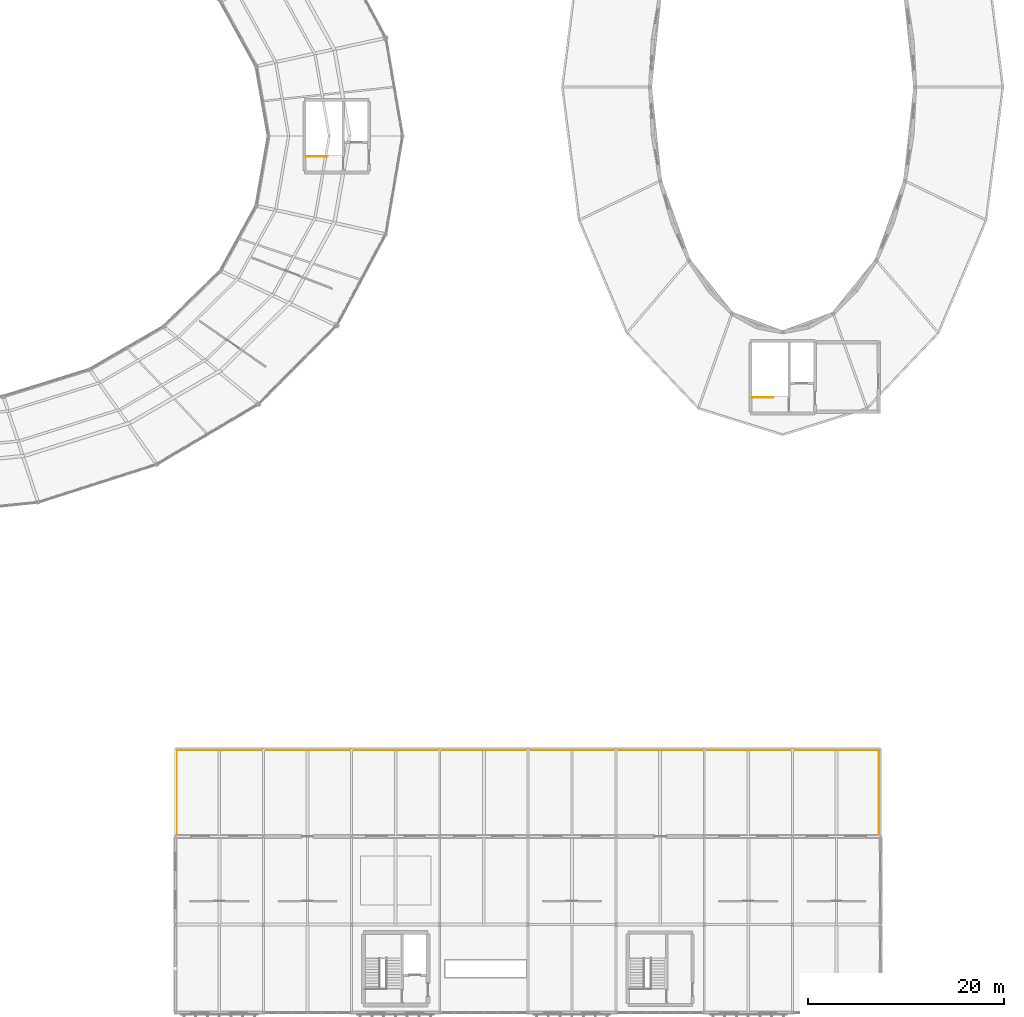
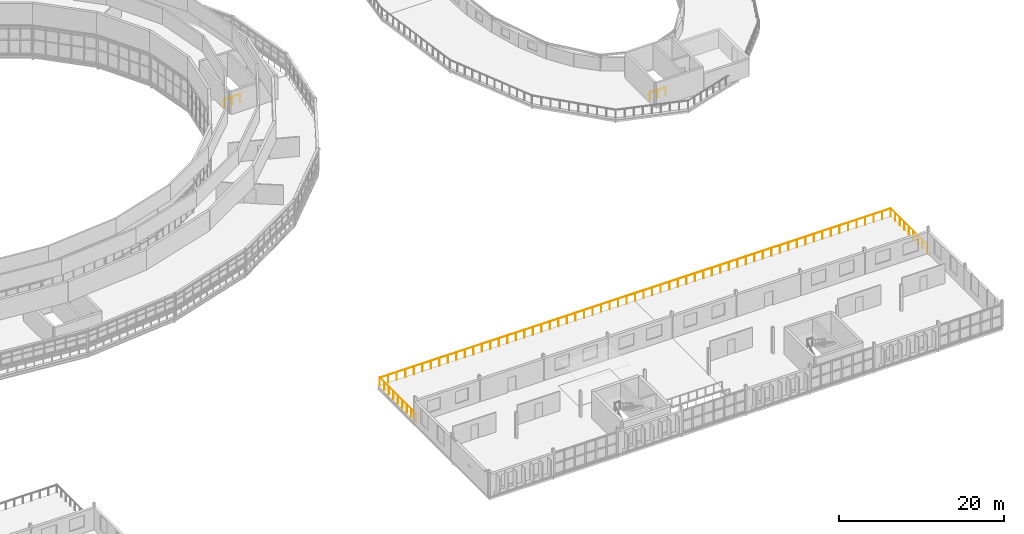
# One storey, part 120 of 123: 3 railings.
"""IFC4 building model written with IfcOpenShell, lengths in metres."""

from ifc_helpers import new_model, si_unit, direction, frame, origin, origin_2d, place, context, subcontext, project, spatial, circle, extrude, material, type_object, element, save


model = new_model("IFC4")

# Units and contexts
model_context = context("Model", 3, precision=1e-05, world=origin(), true_north=direction((0.0, 1.0)))
body_context = subcontext(model_context, "Body", "Model", "MODEL_VIEW")
ifc_project = project(units=[si_unit("LENGTHUNIT", "METRE"), si_unit("AREAUNIT", "SQUARE_METRE"), si_unit("VOLUMEUNIT", "CUBIC_METRE"), si_unit("PLANEANGLEUNIT", "RADIAN"), si_unit("MASSUNIT", "GRAM", prefix="KILO")], contexts=[model_context])

# Site, building, storey
site_placement = place(None, origin())
site = spatial("IfcSite", under=ifc_project, at=site_placement, CompositionType="ELEMENT")
building_placement = place(site_placement, origin())
building = spatial("IfcBuilding", under=site, at=building_placement, Name="Kildeholm Park Wholesale Market", CompositionType="ELEMENT")
storey_placement = place(building_placement, frame((0.0, 0.0, 9.60009765625)))
storey = spatial("IfcBuildingStorey", under=building, at=storey_placement, Name="L02", CompositionType="ELEMENT", Elevation=9.60009765625)

# Railings
ifc_material_1 = material(Name="Painted steel and laminated glass balustrade", Category="steel")
railing_type_1 = type_object("IfcRailingType", Name="Interior gallery and stairwell guard GR-IN1 1200 mm", PredefinedType="GUARDRAIL", material=ifc_material_1)
for number, where, name in (
    (1, (139.360107421875, 87.429931640625, 0.0), "Stair C08 upper floor well guard L02 RLG-0103"),
    (2, (184.860107421875, 62.830078125, 0.0), "Stair C12 upper floor well guard L02 RLG-0135"),
):
    element("IfcRailing", number, at=place(storey_placement, frame(where)), inside=storey, type_object=railing_type_1, Name=name, PredefinedType="GUARDRAIL", context=body_context, shape_type="SweptSolid", body=[
        extrude(circle(Radius=0.02392578125, at=origin_2d()), frame((0.0, 0.0, 1.17578125), z_axis=(1.0, 0.0, 0.0), x_axis=(0.0, 1.0, 0.0)), (0.0, 0.0, 1.0), 2.18994140625),
        extrude(circle(Radius=0.02099609375, at=origin_2d()), origin(), (0.0, 0.0, 1.0), 1.15185546875),
        extrude(circle(Radius=0.02099609375, at=origin_2d()), frame((1.094970703125, 0.0, 0.0)), (0.0, 0.0, 1.0), 1.15185546875),
        extrude(circle(Radius=0.02099609375, at=origin_2d()), frame((2.18994140625, 0.0, 0.0)), (0.0, 0.0, 1.0), 1.15185546875),
    ])
ifc_material_2 = material(Name="Painted galvanized steel and ceramic balustrade", Category="steel")
railing_type_2 = type_object("IfcRailingType", Name="Park terrace ornamental balustrade GR-EX2 1250 mm", PredefinedType="GUARDRAIL", material=ifc_material_2)
railing_placement = place(storey_placement, frame((126.14990234375, 18.0, 0.0)))
element("IfcRailing", 3, at=railing_placement, inside=storey, type_object=railing_type_2, Name="V5E L02 terrace balustrade RLG-0007", PredefinedType="GUARDRAIL", context=body_context, shape_type="SweptSolid", body=[
    extrude(circle(Radius=0.02392578125, at=origin_2d()), frame((0.0, 0.0, 1.22607421875), z_axis=(0.0, 1.0, 0.0), x_axis=(-1.0, 0.0, 0.0)), (0.0, 0.0, 1.0), 8.85009765625),
    extrude(circle(Radius=0.02392578125, at=origin_2d()), frame((0.0, 8.85009765625, 1.22607421875), z_axis=(1.0, 0.0, 0.0), x_axis=(0.0, 1.0, 0.0)), (0.0, 0.0, 1.0), 71.7001953125),
    extrude(circle(Radius=0.02392578125, at=origin_2d()), frame((71.7001953125, 8.85009765625, 1.22607421875), z_axis=(0.0, -1.0, 0.0), x_axis=(1.0, 0.0, 0.0)), (0.0, 0.0, 1.0), 8.85009765625),
    extrude(circle(Radius=0.02099609375, at=origin_2d()), origin(), (0.0, 0.0, 1.0), 1.201904296875),
    extrude(circle(Radius=0.02099609375, at=origin_2d()), frame((0.0, 1.106201171875, 0.0)), (0.0, 0.0, 1.0), 1.201904296875),
    extrude(circle(Radius=0.02099609375, at=origin_2d()), frame((0.0, 2.21240234375, 0.0)), (0.0, 0.0, 1.0), 1.201904296875),
    extrude(circle(Radius=0.02099609375, at=origin_2d()), frame((0.0, 3.31884765625, 0.0)), (0.0, 0.0, 1.0), 1.201904296875),
    extrude(circle(Radius=0.02099609375, at=origin_2d()), frame((0.0, 4.425048828125, 0.0)), (0.0, 0.0, 1.0), 1.201904296875),
    extrude(circle(Radius=0.02099609375, at=origin_2d()), frame((0.0, 5.53125, 0.0)), (0.0, 0.0, 1.0), 1.201904296875),
    extrude(circle(Radius=0.02099609375, at=origin_2d()), frame((0.0, 6.6376953125, 0.0)), (0.0, 0.0, 1.0), 1.201904296875),
    extrude(circle(Radius=0.02099609375, at=origin_2d()), frame((0.0, 7.743896484375, 0.0)), (0.0, 0.0, 1.0), 1.201904296875),
    extrude(circle(Radius=0.02099609375, at=origin_2d()), frame((0.0, 8.85009765625, 0.0)), (0.0, 0.0, 1.0), 1.201904296875),
    extrude(circle(Radius=0.02099609375, at=origin_2d()), frame((1.195068359375, 8.85009765625, 0.0)), (0.0, 0.0, 1.0), 1.201904296875),
    extrude(circle(Radius=0.02099609375, at=origin_2d()), frame((2.389892578125, 8.85009765625, 0.0)), (0.0, 0.0, 1.0), 1.201904296875),
    extrude(circle(Radius=0.02099609375, at=origin_2d()), frame((3.5849609375, 8.85009765625, 0.0)), (0.0, 0.0, 1.0), 1.201904296875),
    extrude(circle(Radius=0.02099609375, at=origin_2d()), frame((4.780029296875, 8.85009765625, 0.0)), (0.0, 0.0, 1.0), 1.201904296875),
    extrude(circle(Radius=0.02099609375, at=origin_2d()), frame((5.97509765625, 8.85009765625, 0.0)), (0.0, 0.0, 1.0), 1.201904296875),
    extrude(circle(Radius=0.02099609375, at=origin_2d()), frame((7.169921875, 8.85009765625, 0.0)), (0.0, 0.0, 1.0), 1.201904296875),
    extrude(circle(Radius=0.02099609375, at=origin_2d()), frame((8.364990234375, 8.85009765625, 0.0)), (0.0, 0.0, 1.0), 1.201904296875),
    extrude(circle(Radius=0.02099609375, at=origin_2d()), frame((9.56005859375, 8.85009765625, 0.0)), (0.0, 0.0, 1.0), 1.201904296875),
    extrude(circle(Radius=0.02099609375, at=origin_2d()), frame((10.755126953125, 8.85009765625, 0.0)), (0.0, 0.0, 1.0), 1.201904296875),
    extrude(circle(Radius=0.02099609375, at=origin_2d()), frame((11.949951171875, 8.85009765625, 0.0)), (0.0, 0.0, 1.0), 1.201904296875),
    extrude(circle(Radius=0.02099609375, at=origin_2d()), frame((13.14501953125, 8.85009765625, 0.0)), (0.0, 0.0, 1.0), 1.201904296875),
    extrude(circle(Radius=0.02099609375, at=origin_2d()), frame((14.340087890625, 8.85009765625, 0.0)), (0.0, 0.0, 1.0), 1.201904296875),
    extrude(circle(Radius=0.02099609375, at=origin_2d()), frame((15.53515625, 8.85009765625, 0.0)), (0.0, 0.0, 1.0), 1.201904296875),
    extrude(circle(Radius=0.02099609375, at=origin_2d()), frame((16.72998046875, 8.85009765625, 0.0)), (0.0, 0.0, 1.0), 1.201904296875),
    extrude(circle(Radius=0.02099609375, at=origin_2d()), frame((17.925048828125, 8.85009765625, 0.0)), (0.0, 0.0, 1.0), 1.201904296875),
    extrude(circle(Radius=0.02099609375, at=origin_2d()), frame((19.1201171875, 8.85009765625, 0.0)), (0.0, 0.0, 1.0), 1.201904296875),
    extrude(circle(Radius=0.02099609375, at=origin_2d()), frame((20.31494140625, 8.85009765625, 0.0)), (0.0, 0.0, 1.0), 1.201904296875),
    extrude(circle(Radius=0.02099609375, at=origin_2d()), frame((21.510009765625, 8.85009765625, 0.0)), (0.0, 0.0, 1.0), 1.201904296875),
    extrude(circle(Radius=0.02099609375, at=origin_2d()), frame((22.705078125, 8.85009765625, 0.0)), (0.0, 0.0, 1.0), 1.201904296875),
    extrude(circle(Radius=0.02099609375, at=origin_2d()), frame((23.900146484375, 8.85009765625, 0.0)), (0.0, 0.0, 1.0), 1.201904296875),
    extrude(circle(Radius=0.02099609375, at=origin_2d()), frame((25.094970703125, 8.85009765625, 0.0)), (0.0, 0.0, 1.0), 1.201904296875),
    extrude(circle(Radius=0.02099609375, at=origin_2d()), frame((26.2900390625, 8.85009765625, 0.0)), (0.0, 0.0, 1.0), 1.201904296875),
    extrude(circle(Radius=0.02099609375, at=origin_2d()), frame((27.485107421875, 8.85009765625, 0.0)), (0.0, 0.0, 1.0), 1.201904296875),
    extrude(circle(Radius=0.02099609375, at=origin_2d()), frame((28.68017578125, 8.85009765625, 0.0)), (0.0, 0.0, 1.0), 1.201904296875),
    extrude(circle(Radius=0.02099609375, at=origin_2d()), frame((29.875, 8.85009765625, 0.0)), (0.0, 0.0, 1.0), 1.201904296875),
    extrude(circle(Radius=0.02099609375, at=origin_2d()), frame((31.070068359375, 8.85009765625, 0.0)), (0.0, 0.0, 1.0), 1.201904296875),
    extrude(circle(Radius=0.02099609375, at=origin_2d()), frame((32.26513671875, 8.85009765625, 0.0)), (0.0, 0.0, 1.0), 1.201904296875),
    extrude(circle(Radius=0.02099609375, at=origin_2d()), frame((33.460205078125, 8.85009765625, 0.0)), (0.0, 0.0, 1.0), 1.201904296875),
    extrude(circle(Radius=0.02099609375, at=origin_2d()), frame((34.655029296875, 8.85009765625, 0.0)), (0.0, 0.0, 1.0), 1.201904296875),
    extrude(circle(Radius=0.02099609375, at=origin_2d()), frame((35.85009765625, 8.85009765625, 0.0)), (0.0, 0.0, 1.0), 1.201904296875),
    extrude(circle(Radius=0.02099609375, at=origin_2d()), frame((37.045166015625, 8.85009765625, 0.0)), (0.0, 0.0, 1.0), 1.201904296875),
    extrude(circle(Radius=0.02099609375, at=origin_2d()), frame((38.239990234375, 8.85009765625, 0.0)), (0.0, 0.0, 1.0), 1.201904296875),
    extrude(circle(Radius=0.02099609375, at=origin_2d()), frame((39.43505859375, 8.85009765625, 0.0)), (0.0, 0.0, 1.0), 1.201904296875),
    extrude(circle(Radius=0.02099609375, at=origin_2d()), frame((40.630126953125, 8.85009765625, 0.0)), (0.0, 0.0, 1.0), 1.201904296875),
    extrude(circle(Radius=0.02099609375, at=origin_2d()), frame((41.8251953125, 8.85009765625, 0.0)), (0.0, 0.0, 1.0), 1.201904296875),
    extrude(circle(Radius=0.02099609375, at=origin_2d()), frame((43.02001953125, 8.85009765625, 0.0)), (0.0, 0.0, 1.0), 1.201904296875),
    extrude(circle(Radius=0.02099609375, at=origin_2d()), frame((44.215087890625, 8.85009765625, 0.0)), (0.0, 0.0, 1.0), 1.201904296875),
    extrude(circle(Radius=0.02099609375, at=origin_2d()), frame((45.41015625, 8.85009765625, 0.0)), (0.0, 0.0, 1.0), 1.201904296875),
    extrude(circle(Radius=0.02099609375, at=origin_2d()), frame((46.605224609375, 8.85009765625, 0.0)), (0.0, 0.0, 1.0), 1.201904296875),
    extrude(circle(Radius=0.02099609375, at=origin_2d()), frame((47.800048828125, 8.85009765625, 0.0)), (0.0, 0.0, 1.0), 1.201904296875),
    extrude(circle(Radius=0.02099609375, at=origin_2d()), frame((48.9951171875, 8.85009765625, 0.0)), (0.0, 0.0, 1.0), 1.201904296875),
    extrude(circle(Radius=0.02099609375, at=origin_2d()), frame((50.190185546875, 8.85009765625, 0.0)), (0.0, 0.0, 1.0), 1.201904296875),
    extrude(circle(Radius=0.02099609375, at=origin_2d()), frame((51.38525390625, 8.85009765625, 0.0)), (0.0, 0.0, 1.0), 1.201904296875),
    extrude(circle(Radius=0.02099609375, at=origin_2d()), frame((52.580078125, 8.85009765625, 0.0)), (0.0, 0.0, 1.0), 1.201904296875),
    extrude(circle(Radius=0.02099609375, at=origin_2d()), frame((53.775146484375, 8.85009765625, 0.0)), (0.0, 0.0, 1.0), 1.201904296875),
    extrude(circle(Radius=0.02099609375, at=origin_2d()), frame((54.97021484375, 8.85009765625, 0.0)), (0.0, 0.0, 1.0), 1.201904296875),
    extrude(circle(Radius=0.02099609375, at=origin_2d()), frame((56.1650390625, 8.85009765625, 0.0)), (0.0, 0.0, 1.0), 1.201904296875),
    extrude(circle(Radius=0.02099609375, at=origin_2d()), frame((57.360107421875, 8.85009765625, 0.0)), (0.0, 0.0, 1.0), 1.201904296875),
    extrude(circle(Radius=0.02099609375, at=origin_2d()), frame((58.55517578125, 8.85009765625, 0.0)), (0.0, 0.0, 1.0), 1.201904296875),
    extrude(circle(Radius=0.02099609375, at=origin_2d()), frame((59.750244140625, 8.85009765625, 0.0)), (0.0, 0.0, 1.0), 1.201904296875),
    extrude(circle(Radius=0.02099609375, at=origin_2d()), frame((60.945068359375, 8.85009765625, 0.0)), (0.0, 0.0, 1.0), 1.201904296875),
    extrude(circle(Radius=0.02099609375, at=origin_2d()), frame((62.14013671875, 8.85009765625, 0.0)), (0.0, 0.0, 1.0), 1.201904296875),
    extrude(circle(Radius=0.02099609375, at=origin_2d()), frame((63.335205078125, 8.85009765625, 0.0)), (0.0, 0.0, 1.0), 1.201904296875),
    extrude(circle(Radius=0.02099609375, at=origin_2d()), frame((64.5302734375, 8.85009765625, 0.0)), (0.0, 0.0, 1.0), 1.201904296875),
    extrude(circle(Radius=0.02099609375, at=origin_2d()), frame((65.72509765625, 8.85009765625, 0.0)), (0.0, 0.0, 1.0), 1.201904296875),
    extrude(circle(Radius=0.02099609375, at=origin_2d()), frame((66.920166015625, 8.85009765625, 0.0)), (0.0, 0.0, 1.0), 1.201904296875),
    extrude(circle(Radius=0.02099609375, at=origin_2d()), frame((68.115234375, 8.85009765625, 0.0)), (0.0, 0.0, 1.0), 1.201904296875),
    extrude(circle(Radius=0.02099609375, at=origin_2d()), frame((69.310302734375, 8.85009765625, 0.0)), (0.0, 0.0, 1.0), 1.201904296875),
    extrude(circle(Radius=0.02099609375, at=origin_2d()), frame((70.505126953125, 8.85009765625, 0.0)), (0.0, 0.0, 1.0), 1.201904296875),
    extrude(circle(Radius=0.02099609375, at=origin_2d()), frame((71.7001953125, 8.85009765625, 0.0)), (0.0, 0.0, 1.0), 1.201904296875),
    extrude(circle(Radius=0.02099609375, at=origin_2d()), frame((71.7001953125, 7.743896484375, 0.0)), (0.0, 0.0, 1.0), 1.201904296875),
    extrude(circle(Radius=0.02099609375, at=origin_2d()), frame((71.7001953125, 6.6376953125, 0.0)), (0.0, 0.0, 1.0), 1.201904296875),
    extrude(circle(Radius=0.02099609375, at=origin_2d()), frame((71.7001953125, 5.53125, 0.0)), (0.0, 0.0, 1.0), 1.201904296875),
    extrude(circle(Radius=0.02099609375, at=origin_2d()), frame((71.7001953125, 4.425048828125, 0.0)), (0.0, 0.0, 1.0), 1.201904296875),
    extrude(circle(Radius=0.02099609375, at=origin_2d()), frame((71.7001953125, 3.31884765625, 0.0)), (0.0, 0.0, 1.0), 1.201904296875),
    extrude(circle(Radius=0.02099609375, at=origin_2d()), frame((71.7001953125, 2.21240234375, 0.0)), (0.0, 0.0, 1.0), 1.201904296875),
    extrude(circle(Radius=0.02099609375, at=origin_2d()), frame((71.7001953125, 1.106201171875, 0.0)), (0.0, 0.0, 1.0), 1.201904296875),
    extrude(circle(Radius=0.02099609375, at=origin_2d()), frame((71.7001953125, 0.0, 0.0)), (0.0, 0.0, 1.0), 1.201904296875),
])

save(model, "model.ifc")
